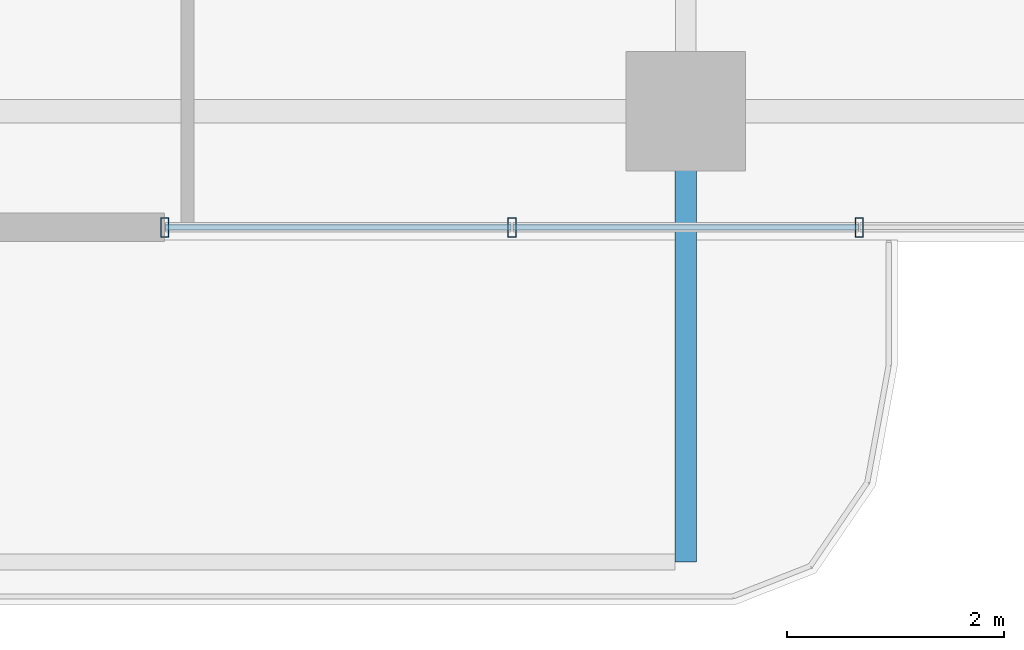
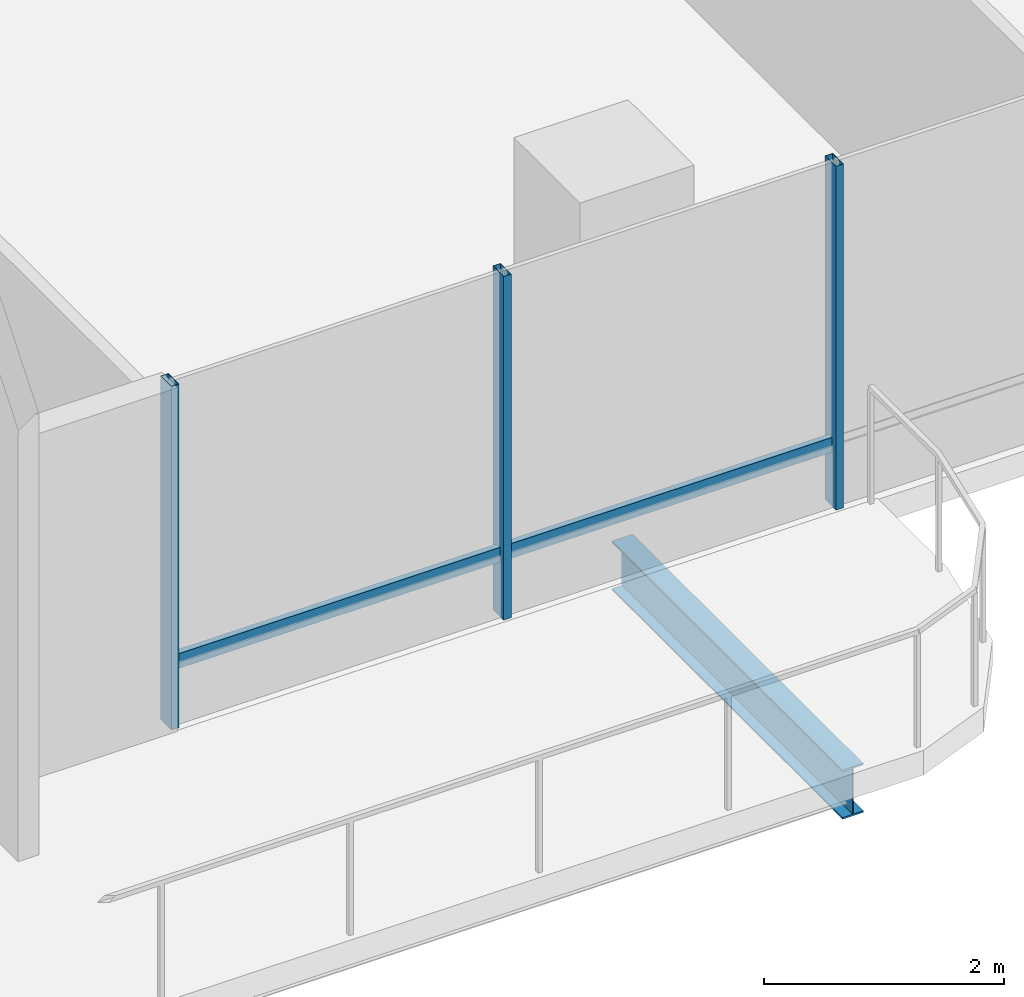
# One storey, part 2 of 24: 5 members, 1 beam, 1 element without a shape of its own.
"""IFC4 building model written with IfcOpenShell, lengths in metres."""

from ifc_helpers import new_model, si_unit, direction, frame, origin, origin_2d, place, context, subcontext, project, spatial, hollow_rectangle, i_section, extrude, material, layer, layer_set, material_profile, profile_set, type_object, element, aggregate, save


model = new_model("IFC4")

# Units and contexts
model_context = context("Model", 3, precision=1e-05, world=origin(), true_north=direction((0.0, 1.0)))
body_context = subcontext(model_context, "Body", "Model", "MODEL_VIEW")
ifc_project = project(units=[si_unit("LENGTHUNIT", "METRE"), si_unit("AREAUNIT", "SQUARE_METRE"), si_unit("VOLUMEUNIT", "CUBIC_METRE"), si_unit("PLANEANGLEUNIT", "RADIAN"), si_unit("MASSUNIT", "GRAM", prefix="KILO")], contexts=[model_context])

# Site, building, storey
site_placement = place(None, origin())
site = spatial("IfcSite", under=ifc_project, at=site_placement, CompositionType="ELEMENT")
building_placement = place(site_placement, origin())
building = spatial("IfcBuilding", under=site, at=building_placement, Name="Belovzor Exchange Tower", CompositionType="ELEMENT")
storey_placement = place(building_placement, frame((0.0, 0.0, 218.699951171875)))
storey = spatial("IfcBuildingStorey", under=building, at=storey_placement, Name="L54", CompositionType="ELEMENT", Elevation=218.699951171875)

# Beam
ifc_material_1 = material(Name="Steel S355", Category="steel")
ifc_material_profile_1 = material_profile(ifc_material_1, i_section(OverallWidth=0.199951171875, OverallDepth=0.5, WebThickness=0.01025390625, FlangeThickness=0.01611328125, at=origin_2d()))
ifc_profile_set_1 = profile_set([ifc_material_profile_1], Name="Steel S355")
beam_type = type_object("IfcBeamType", Name="Planted Balcony Cantilever Beam IPE 500", PredefinedType="BEAM", material=ifc_profile_set_1)
beam_placement = place(storey_placement, frame((28.800048828125, 2.697021484375, -0.5), z_axis=(0.0, -1.0, 0.0), x_axis=(1.0, 0.0, 0.0)))
element("IfcBeam", 1, at=beam_placement, inside=storey, type_object=beam_type, Name="BC-500 Planted Balcony Cantilever Beam IPE 500", PredefinedType="BEAM", context=body_context, shape_type="SweptSolid", body=[
    extrude(i_section(OverallWidth=0.199951171875, OverallDepth=0.5, WebThickness=0.01025390625, FlangeThickness=0.01611328125, at=origin_2d()), origin(), (0.0, 0.0, 1.0), 3.85009765625),
])

# Curtain wall, members
ifc_material_2 = material(Name="Anodised Aluminium Framing", Category="aluminium")
ifc_layer = layer(ifc_material_2, 0.179931640625)
ifc_layer_set = layer_set([ifc_layer], Name="Anodised Aluminium Framing")
curtain_wall_type = type_object("IfcCurtainWallType", Name="Recessed Loggia Low-Iron Triple-Glazed Curtain Wall", PredefinedType="NOTDEFINED", material=ifc_layer_set)
curtain_wall_placement = place(storey_placement, origin())
curtain_wall = element("IfcCurtainWall", 2, at=curtain_wall_placement, inside=storey, type_object=curtain_wall_type, Name="CW3 Recessed Loggia Low-Iron Triple-Glazed Curtain Wall L54", PredefinedType="NOTDEFINED")
ifc_material_3 = material(Name="Steel S355", Category="steel")
ifc_material_profile_2 = material_profile(ifc_material_3, hollow_rectangle(XDim=0.074951171875, YDim=0.179931640625, WallThickness=0.0048828125, at=origin_2d()))
ifc_profile_set_2 = profile_set([ifc_material_profile_2], Name="Steel S355")
member_type_1 = type_object("IfcMemberType", Name="Thermally Broken Curtain Wall Mullion 180x75", PredefinedType="MULLION", material=ifc_profile_set_2)
member_1_placement = place(storey_placement, frame((30.39990234375, 1.929931640625, 0.0), z_axis=(0.0, 0.0, 1.0), x_axis=(-1.0, 0.0, 0.0)))
member_1 = element("IfcMember", 3, at=member_1_placement, type_object=member_type_1, Name="CW-M180 Curtain Wall Mullion 2", PredefinedType="MULLION", context=body_context, shape_type="SweptSolid", body=[
    extrude(hollow_rectangle(XDim=0.074951171875, YDim=0.179931640625, WallThickness=0.0048828125, at=origin_2d()), origin(), (0.0, 0.0, 1.0), 3.5),
])
member_2_placement = place(storey_placement, frame((27.199951171875, 1.929931640625, 0.0), z_axis=(0.0, 0.0, 1.0), x_axis=(-1.0, 0.0, 0.0)))
member_2 = element("IfcMember", 4, at=member_2_placement, type_object=member_type_1, Name="CW-M180 Curtain Wall Mullion 3", PredefinedType="MULLION", context=body_context, shape_type="SweptSolid", body=[
    extrude(hollow_rectangle(XDim=0.074951171875, YDim=0.179931640625, WallThickness=0.0048828125, at=origin_2d()), origin(), (0.0, 0.0, 1.0), 3.5),
])
member_3_placement = place(storey_placement, frame((24.0, 1.929931640625, 0.0), z_axis=(0.0, 0.0, 1.0), x_axis=(-1.0, 0.0, 0.0)))
member_3 = element("IfcMember", 5, at=member_3_placement, type_object=member_type_1, Name="CW-M180 Curtain Wall Mullion 4", PredefinedType="MULLION", context=body_context, shape_type="SweptSolid", body=[
    extrude(hollow_rectangle(XDim=0.074951171875, YDim=0.179931640625, WallThickness=0.0048828125, at=origin_2d()), origin(), (0.0, 0.0, 1.0), 3.5),
])
ifc_material_4 = material(Name="Steel S355", Category="steel")
ifc_material_profile_3 = material_profile(ifc_material_4, hollow_rectangle(XDim=0.06005859375, YDim=0.14990234375, WallThickness=0.00390625, at=origin_2d()))
ifc_profile_set_3 = profile_set([ifc_material_profile_3], Name="Steel S355")
member_type_2 = type_object("IfcMemberType", Name="Thermally Broken Curtain Wall Transom 150x60", PredefinedType="USERDEFINED", material=ifc_profile_set_3)
member_4_placement = place(storey_placement, frame((30.39208984375, 1.929931640625, 0.630126953125), z_axis=(-1.0, 0.0, 0.0), x_axis=(0.0, -1.0, 0.0)))
member_4 = element("IfcMember", 6, at=member_4_placement, type_object=member_type_2, Name="CW-T150 Curtain Wall Transom 2", ObjectType="TRANSOM", PredefinedType="USERDEFINED", context=body_context, shape_type="SweptSolid", body=[
    extrude(hollow_rectangle(XDim=0.06005859375, YDim=0.14990234375, WallThickness=0.00390625, at=origin_2d()), origin(), (0.0, 0.0, 1.0), 3.18408203125),
])
member_5_placement = place(storey_placement, frame((27.19189453125, 1.929931640625, 0.630126953125), z_axis=(-1.0, 0.0, 0.0), x_axis=(0.0, -1.0, 0.0)))
member_5 = element("IfcMember", 7, at=member_5_placement, type_object=member_type_2, Name="CW-T150 Curtain Wall Transom 3", ObjectType="TRANSOM", PredefinedType="USERDEFINED", context=body_context, shape_type="SweptSolid", body=[
    extrude(hollow_rectangle(XDim=0.06005859375, YDim=0.14990234375, WallThickness=0.00390625, at=origin_2d()), origin(), (0.0, 0.0, 1.0), 3.183837890625),
])
aggregate(curtain_wall, [member_1, member_2, member_3, member_4, member_5])

save(model, "model.ifc")
